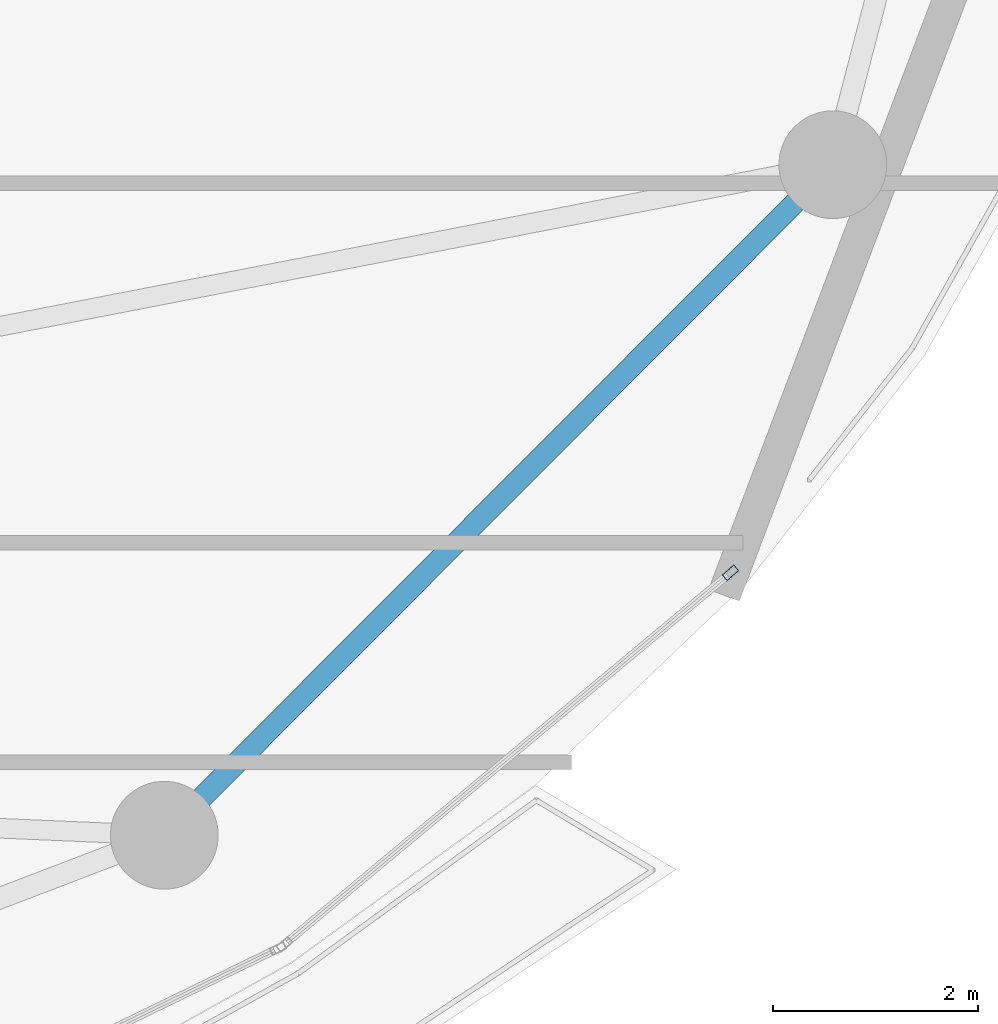
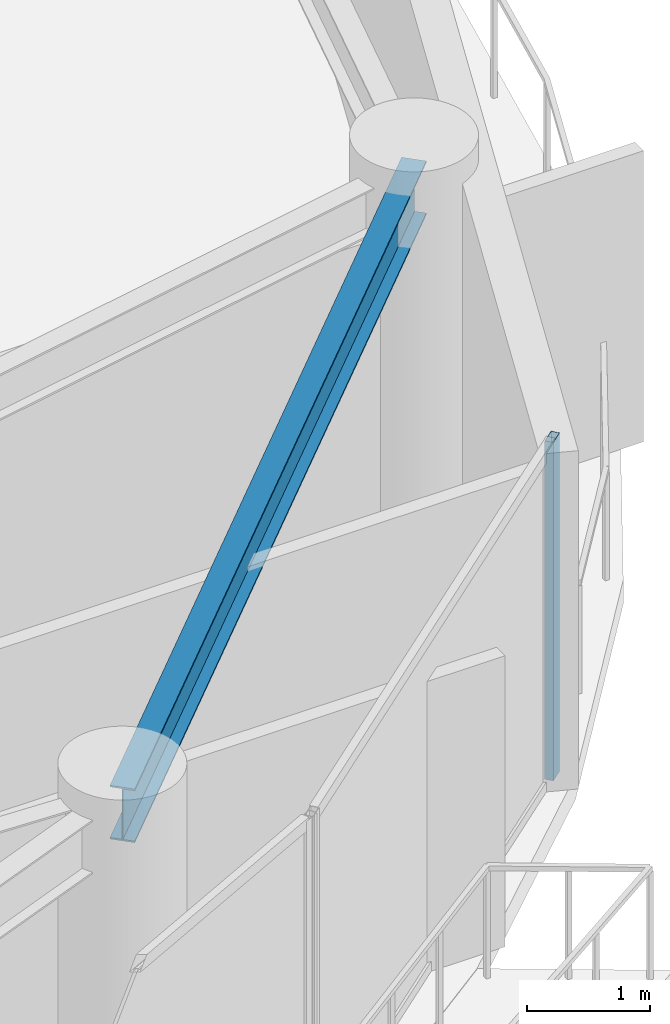
# One storey, part 13 of 29: 1 beam, 1 member, 1 element without a shape of its own.
"""IFC4 building model written with IfcOpenShell, lengths in metres."""

from ifc_helpers import new_model, si_unit, direction, frame, origin, origin_2d, place, context, subcontext, project, spatial, hollow_rectangle, i_section, extrude, material, layer, layer_set, material_profile, profile_set, type_object, element, aggregate, save


model = new_model("IFC4")

# Units and contexts
model_context = context("Model", 3, precision=1e-05, world=origin(), true_north=direction((0.0, 1.0)))
body_context = subcontext(model_context, "Body", "Model", "MODEL_VIEW")
ifc_project = project(units=[si_unit("LENGTHUNIT", "METRE"), si_unit("AREAUNIT", "SQUARE_METRE"), si_unit("VOLUMEUNIT", "CUBIC_METRE"), si_unit("PLANEANGLEUNIT", "RADIAN"), si_unit("MASSUNIT", "GRAM", prefix="KILO")], contexts=[model_context])

# Site, building, storey
site_placement = place(None, origin())
site = spatial("IfcSite", under=ifc_project, at=site_placement, CompositionType="ELEMENT")
building_placement = place(site_placement, origin())
building = spatial("IfcBuilding", under=site, at=building_placement, Name="Kazevale Care Tower and Concert Hall", CompositionType="ELEMENT")
storey_placement = place(building_placement, frame((0.0, 0.0, 195.60009765625)))
storey = spatial("IfcBuildingStorey", under=building, at=storey_placement, Name="L51", CompositionType="ELEMENT", Elevation=195.60009765625)

# Curtain wall, member
ifc_material_1 = material(Name="Aluminium 6063-T6 and Low-E Glass", Category="aluminium")
ifc_layer = layer(ifc_material_1, 0.179931640625)
ifc_layer_set = layer_set([ifc_layer], Name="Aluminium 6063-T6 and Low-E Glass")
curtain_wall_type = type_object("IfcCurtainWallType", Name="Sheltered Concave Balcony Curtain Wall CW-5", PredefinedType="NOTDEFINED", material=ifc_layer_set)
curtain_wall_placement = place(storey_placement, origin())
curtain_wall = element("IfcCurtainWall", 1, at=curtain_wall_placement, inside=storey, type_object=curtain_wall_type, Name="cw:L51:f02", PredefinedType="NOTDEFINED")
ifc_material_2 = material(Name="Aluminium 6063-T6", Category="aluminium")
ifc_material_profile_1 = material_profile(ifc_material_2, hollow_rectangle(XDim=0.074951171875, YDim=0.14990234375, WallThickness=0.00390625, at=origin_2d()), Name="ALU75x150x4")
ifc_profile_set_1 = profile_set([ifc_material_profile_1], Name="Aluminium 6063-T6")
member_type = type_object("IfcMemberType", Name="CW-5 Mullion ALU75x150x4", PredefinedType="MULLION", material=ifc_profile_set_1)
member_placement = place(storey_placement, frame((71.76318359375, 25.2060546875, 0.0), z_axis=(0.0, 0.0, 1.0), x_axis=(0.639961217204, -0.768407210062, 0.0)))
member = element("IfcMember", 2, at=member_placement, type_object=member_type, Name="CW-5 mullion 1", PredefinedType="MULLION", context=body_context, shape_type="SweptSolid", body=[
    extrude(hollow_rectangle(XDim=0.074951171875, YDim=0.14990234375, WallThickness=0.00390625, at=origin_2d()), origin(), (0.0, 0.0, 1.0), 3.35986328125),
])
aggregate(curtain_wall, [member])

# Beam
ifc_material_3 = material(Name="Steel ASTM A572 Gr 50", Category="steel")
ifc_material_profile_2 = material_profile(ifc_material_3, i_section(OverallWidth=0.208984375, OverallDepth=0.532958984375, WebThickness=0.01025390625, FlangeThickness=0.015625, at=origin_2d()), Name="W530x92")
ifc_profile_set_2 = profile_set([ifc_material_profile_2], Name="Steel ASTM A572 Gr 50")
beam_type = type_object("IfcBeamType", Name="Upper Ring Beam W530x92", PredefinedType="BEAM", material=ifc_profile_set_2)
beam_placement = place(storey_placement, frame((66.25, 22.64990234375, 3.093505859375), z_axis=(0.706020373708, 0.708191522054, 0.0), x_axis=(-0.708191522054, 0.706020373708, 0.0)))
element("IfcBeam", 3, at=beam_placement, inside=storey, type_object=beam_type, Name="beam:L51:ring:15", PredefinedType="BEAM", context=body_context, shape_type="SweptSolid", body=[
    extrude(i_section(OverallWidth=0.208984375, OverallDepth=0.532958984375, WebThickness=0.01025390625, FlangeThickness=0.015625, at=origin_2d()), origin(), (0.0, 0.0, 1.0), 9.220703125),
])

save(model, "model.ifc")
